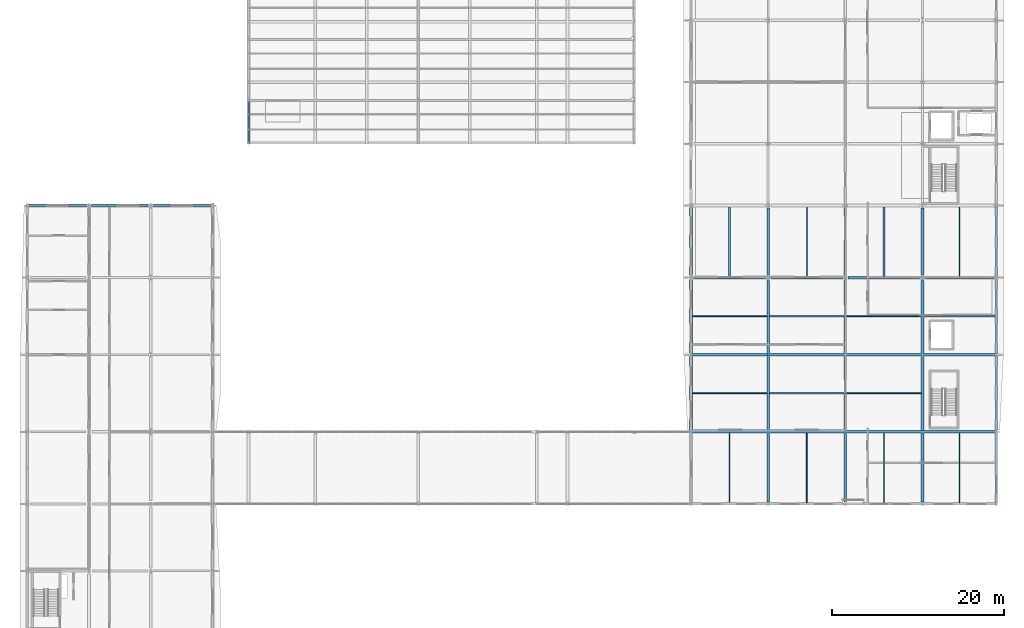
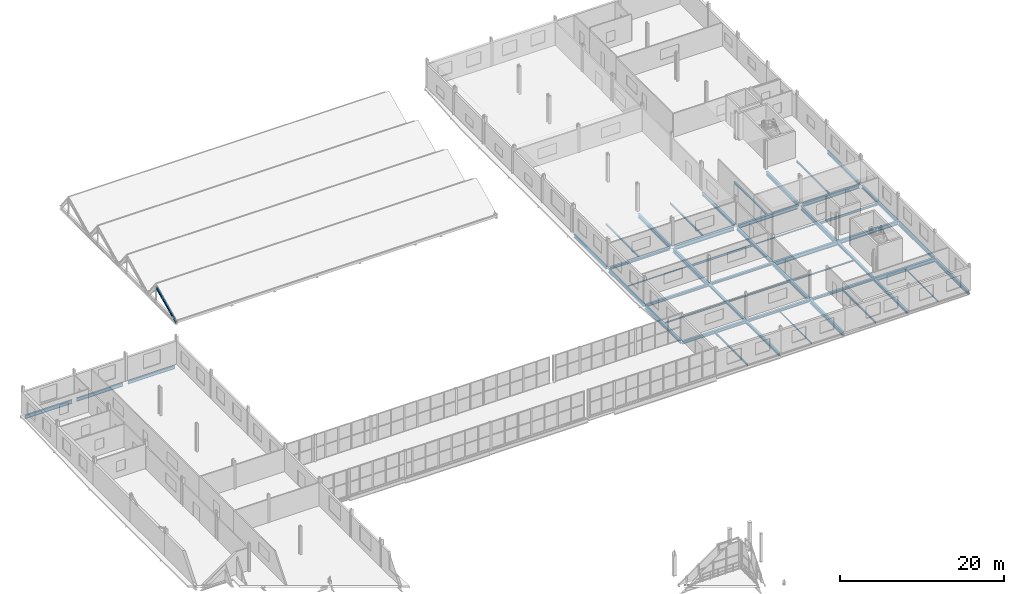
# One storey, part 69 of 138: 50 beams.
"""IFC4 building model written with IfcOpenShell, lengths in metres."""

from ifc_helpers import new_model, si_unit, direction, frame, origin, origin_2d, place, context, subcontext, project, spatial, i_section, extrude, material, material_profile, profile_set, type_object, element, save


model = new_model("IFC4")

# Units and contexts
model_context = context("Model", 3, precision=1e-05, world=origin(), true_north=direction((0.0, 1.0)))
body_context = subcontext(model_context, "Body", "Model", "MODEL_VIEW")
ifc_project = project(units=[si_unit("LENGTHUNIT", "METRE"), si_unit("AREAUNIT", "SQUARE_METRE"), si_unit("VOLUMEUNIT", "CUBIC_METRE"), si_unit("PLANEANGLEUNIT", "RADIAN"), si_unit("MASSUNIT", "GRAM", prefix="KILO")], contexts=[model_context])

# Site, building, storey
site_placement = place(None, origin())
site = spatial("IfcSite", under=ifc_project, at=site_placement, CompositionType="ELEMENT")
building_placement = place(site_placement, origin())
building = spatial("IfcBuilding", under=site, at=building_placement, Name="Vinh Khe Railworks Police Headquarters", CompositionType="ELEMENT")
storey_placement = place(building_placement, frame((0.0, 0.0, 9.0)))
storey = spatial("IfcBuildingStorey", under=building, at=storey_placement, Name="L02", CompositionType="ELEMENT", Elevation=9.0)

# Beams
ifc_material = material(Name="Steel S355JR", Category="steel")
ifc_material_profile_1 = material_profile(ifc_material, i_section(OverallWidth=0.179931640625, OverallDepth=0.1708984375, WebThickness=0.006103515625, FlangeThickness=0.009521484375, FilletRadius=0.014892578125, at=origin_2d()), Name="HEA 180")
ifc_profile_set_1 = profile_set([ifc_material_profile_1], Name="Steel S355JR")
beam_type_1 = type_object("IfcBeamType", Name="Secondary Joist HEA 180", PredefinedType="JOIST", material=ifc_profile_set_1)
beam_1_placement = place(storey_placement, frame((87.14990234375, 108.89990234375, -0.305419921875), z_axis=(1.0, 0.0, 0.0), x_axis=(0.0, 1.0, 0.0)))
element("IfcBeam", 1, at=beam_1_placement, inside=storey, type_object=beam_type_1, Name="Secondary Joist JST-L02-SJ-10-0012", PredefinedType="JOIST", context=body_context, shape_type="SweptSolid", body=[
    extrude(i_section(OverallWidth=0.179931640625, OverallDepth=0.1708984375, WebThickness=0.006103515625, FlangeThickness=0.009521484375, FilletRadius=0.014892578125, at=origin_2d()), origin(), (0.0, 0.0, 1.0), 8.7001953125),
])
ifc_material_profile_2 = material_profile(ifc_material, i_section(OverallWidth=0.199951171875, OverallDepth=0.18994140625, WebThickness=0.006591796875, FlangeThickness=0.010009765625, FilletRadius=0.01806640625, at=origin_2d()), Name="HEA 200")
ifc_profile_set_2 = profile_set([ifc_material_profile_2], Name="Steel S355JR")
beam_type_2 = type_object("IfcBeamType", Name="Secondary Joist HEA 200", PredefinedType="JOIST", material=ifc_profile_set_2)
for number, where, z_axis, x_axis, name in (
    (2, (82.5, 122.550048828125, -0.31494140625), (0.0, 1.0, 0.0), (-1.0, 0.0, 0.0), "Secondary Joist JST-L02-SJ-09-0010"),
    (3, (100.5, 122.550048828125, -0.31494140625), (0.0, 1.0, 0.0), (-1.0, 0.0, 0.0), "Secondary Joist JST-L02-SJ-09-0018"),
):
    element("IfcBeam", number, at=place(storey_placement, frame(where, z_axis=z_axis, x_axis=x_axis)), inside=storey, type_object=beam_type_2, Name=name, PredefinedType="JOIST", context=body_context, shape_type="SweptSolid", body=[
        extrude(i_section(OverallWidth=0.199951171875, OverallDepth=0.18994140625, WebThickness=0.006591796875, FlangeThickness=0.010009765625, FilletRadius=0.01806640625, at=origin_2d()), origin(), (0.0, 0.0, 1.0), 8.099853515625),
    ])
ifc_material_profile_3 = material_profile(ifc_material, i_section(OverallWidth=0.08203125, OverallDepth=0.159912109375, WebThickness=0.0048828125, FlangeThickness=0.00732421875, FilletRadius=0.009033203125, at=origin_2d()), Name="IPE 160")
ifc_profile_set_3 = profile_set([ifc_material_profile_3], Name="Steel S355JR")
beam_type_3 = type_object("IfcBeamType", Name="Secondary Joist IPE 160", PredefinedType="JOIST", material=ifc_profile_set_3)
for number, where, z_axis, x_axis, name in (
    (4, (91.5, 96.14990234375, -0.300048828125), (0.0, 1.0, 0.0), (-1.0, 0.0, 0.0), "Secondary Joist JST-L02-SJ-08-0011"),
    (5, (109.300048828125, 96.14990234375, -0.300048828125), (0.0, 1.0, 0.0), (-1.0, 0.0, 0.0), "Secondary Joist JST-L02-SJ-08-0019"),
):
    element("IfcBeam", number, at=place(storey_placement, frame(where, z_axis=z_axis, x_axis=x_axis)), inside=storey, type_object=beam_type_3, Name=name, PredefinedType="JOIST", context=body_context, shape_type="SweptSolid", body=[
        extrude(i_section(OverallWidth=0.08203125, OverallDepth=0.159912109375, WebThickness=0.0048828125, FlangeThickness=0.00732421875, FilletRadius=0.009033203125, at=origin_2d()), origin(), (0.0, 0.0, 1.0), 8.10009765625),
    ])
ifc_material_profile_4 = material_profile(ifc_material, i_section(OverallWidth=0.091064453125, OverallDepth=0.179931640625, WebThickness=0.00537109375, FlangeThickness=0.008056640625, FilletRadius=0.009033203125, at=origin_2d()), Name="IPE 180")
ifc_profile_set_4 = profile_set([ifc_material_profile_4], Name="Steel S355JR")
beam_type_4 = type_object("IfcBeamType", Name="Secondary Joist IPE 180", PredefinedType="JOIST", material=ifc_profile_set_4)
for number, where, z_axis, x_axis, name in (
    (6, (78.14990234375, 117.89990234375, -0.31005859375), (1.0, 0.0, 0.0), (0.0, 1.0, 0.0), "Secondary Joist JST-L02-SJ-07-0009"),
    (7, (96.14990234375, 117.89990234375, -0.31005859375), (1.0, 0.0, 0.0), (0.0, 1.0, 0.0), "Secondary Joist JST-L02-SJ-07-0017"),
):
    element("IfcBeam", number, at=place(storey_placement, frame(where, z_axis=z_axis, x_axis=x_axis)), inside=storey, type_object=beam_type_4, Name=name, PredefinedType="JOIST", context=body_context, shape_type="SweptSolid", body=[
        extrude(i_section(OverallWidth=0.091064453125, OverallDepth=0.179931640625, WebThickness=0.00537109375, FlangeThickness=0.008056640625, FilletRadius=0.009033203125, at=origin_2d()), origin(), (0.0, 0.0, 1.0), 8.7001953125),
    ])
ifc_material_profile_5 = material_profile(ifc_material, i_section(OverallWidth=0.110107421875, OverallDepth=0.219970703125, WebThickness=0.005859375, FlangeThickness=0.00927734375, FilletRadius=0.011962890625, at=origin_2d()), Name="IPE 220")
ifc_profile_set_5 = profile_set([ifc_material_profile_5], Name="Steel S355JR")
beam_type_5 = type_object("IfcBeamType", Name="Secondary Joist IPE 220", PredefinedType="JOIST", material=ifc_profile_set_5)
for number, where, z_axis, x_axis, name in (
    (8, (78.14990234375, 108.89990234375, -0.330078125), (1.0, 0.0, 0.0), (0.0, 1.0, 0.0), "Secondary Joist JST-L02-SJ-05-0008"),
    (9, (96.14990234375, 108.89990234375, -0.330078125), (1.0, 0.0, 0.0), (0.0, 1.0, 0.0), "Secondary Joist JST-L02-SJ-05-0016"),
):
    element("IfcBeam", number, at=place(storey_placement, frame(where, z_axis=z_axis, x_axis=x_axis)), inside=storey, type_object=beam_type_5, Name=name, PredefinedType="JOIST", context=body_context, shape_type="SweptSolid", body=[
        extrude(i_section(OverallWidth=0.110107421875, OverallDepth=0.219970703125, WebThickness=0.005859375, FlangeThickness=0.00927734375, FilletRadius=0.011962890625, at=origin_2d()), origin(), (0.0, 0.0, 1.0), 8.7001953125),
    ])
ifc_material_profile_6 = material_profile(ifc_material, i_section(OverallWidth=0.1201171875, OverallDepth=0.239990234375, WebThickness=0.006103515625, FlangeThickness=0.009765625, FilletRadius=0.014892578125, at=origin_2d()), Name="IPE 240")
ifc_profile_set_6 = profile_set([ifc_material_profile_6], Name="Steel S355JR")
beam_type_6 = type_object("IfcBeamType", Name="Secondary Joist IPE 240", PredefinedType="JOIST", material=ifc_profile_set_6)
beam_2_placement = place(storey_placement, frame((91.5, 122.550048828125, -0.340087890625), z_axis=(0.0, 1.0, 0.0), x_axis=(-1.0, 0.0, 0.0)))
element("IfcBeam", 10, at=beam_2_placement, inside=storey, type_object=beam_type_6, Name="Secondary Joist JST-L02-SJ-04-0014", PredefinedType="JOIST", context=body_context, shape_type="SweptSolid", body=[
    extrude(i_section(OverallWidth=0.1201171875, OverallDepth=0.239990234375, WebThickness=0.006103515625, FlangeThickness=0.009765625, FilletRadius=0.014892578125, at=origin_2d()), origin(), (0.0, 0.0, 1.0), 8.099853515625),
])
ifc_material_profile_7 = material_profile(ifc_material, i_section(OverallWidth=0.135009765625, OverallDepth=0.27001953125, WebThickness=0.006591796875, FlangeThickness=0.01025390625, FilletRadius=0.014892578125, at=origin_2d()), Name="IPE 270")
ifc_profile_set_7 = profile_set([ifc_material_profile_7], Name="Steel S355JR")
beam_type_7 = type_object("IfcBeamType", Name="Secondary Joist IPE 270", PredefinedType="JOIST", material=ifc_profile_set_7)
for number, where, z_axis, x_axis, name in (
    (11, (82.5, 96.14990234375, -0.35498046875), (0.0, 1.0, 0.0), (-1.0, 0.0, 0.0), "Secondary Joist JST-L02-SJ-03-0007"),
    (12, (100.5, 96.14990234375, -0.35498046875), (0.0, 1.0, 0.0), (-1.0, 0.0, 0.0), "Secondary Joist JST-L02-SJ-03-0015"),
):
    element("IfcBeam", number, at=place(storey_placement, frame(where, z_axis=z_axis, x_axis=x_axis)), inside=storey, type_object=beam_type_7, Name=name, PredefinedType="JOIST", context=body_context, shape_type="SweptSolid", body=[
        extrude(i_section(OverallWidth=0.135009765625, OverallDepth=0.27001953125, WebThickness=0.006591796875, FlangeThickness=0.01025390625, FilletRadius=0.014892578125, at=origin_2d()), origin(), (0.0, 0.0, 1.0), 8.10009765625),
    ])
beam_3_placement = place(storey_placement, frame((109.300048828125, 122.550048828125, -0.35498046875), z_axis=(0.0, 1.0, 0.0), x_axis=(-1.0, 0.0, 0.0)))
element("IfcBeam", 13, at=beam_3_placement, inside=storey, type_object=beam_type_7, Name="Secondary Joist JST-L02-SJ-03-0021", PredefinedType="JOIST", context=body_context, shape_type="SweptSolid", body=[
    extrude(i_section(OverallWidth=0.135009765625, OverallDepth=0.27001953125, WebThickness=0.006591796875, FlangeThickness=0.01025390625, FilletRadius=0.014892578125, at=origin_2d()), origin(), (0.0, 0.0, 1.0), 8.099853515625),
])
ifc_material_profile_8 = material_profile(ifc_material, i_section(OverallWidth=0.14990234375, OverallDepth=0.300048828125, WebThickness=0.007080078125, FlangeThickness=0.0107421875, FilletRadius=0.014892578125, at=origin_2d()), Name="IPE 300")
ifc_profile_set_8 = profile_set([ifc_material_profile_8], Name="Steel S355JR")
beam_type_8 = type_object("IfcBeamType", Name="Secondary Joist IPE 300", PredefinedType="JOIST", material=ifc_profile_set_8)
beam_4_placement = place(storey_placement, frame((87.14990234375, 117.89990234375, -0.3701171875), z_axis=(1.0, 0.0, 0.0), x_axis=(0.0, 1.0, 0.0)))
element("IfcBeam", 14, at=beam_4_placement, inside=storey, type_object=beam_type_8, Name="Secondary Joist JST-L02-SJ-02-0013", PredefinedType="JOIST", context=body_context, shape_type="SweptSolid", body=[
    extrude(i_section(OverallWidth=0.14990234375, OverallDepth=0.300048828125, WebThickness=0.007080078125, FlangeThickness=0.0107421875, FilletRadius=0.014892578125, at=origin_2d()), origin(), (0.0, 0.0, 1.0), 8.7001953125),
])
ifc_material_profile_9 = material_profile(ifc_material, i_section(OverallWidth=0.159912109375, OverallDepth=0.330078125, WebThickness=0.007568359375, FlangeThickness=0.011474609375, FilletRadius=0.01806640625, at=origin_2d()), Name="IPE 330")
ifc_profile_set_9 = profile_set([ifc_material_profile_9], Name="Steel S355JR")
beam_type_9 = type_object("IfcBeamType", Name="Secondary Joist IPE 330", PredefinedType="JOIST", material=ifc_profile_set_9)
beam_5_placement = place(storey_placement, frame((105.14990234375, 117.89990234375, -0.385009765625), z_axis=(1.0, 0.0, 0.0), x_axis=(0.0, 1.0, 0.0)))
element("IfcBeam", 15, at=beam_5_placement, inside=storey, type_object=beam_type_9, Name="Secondary Joist JST-L02-SJ-01-0020", PredefinedType="JOIST", context=body_context, shape_type="SweptSolid", body=[
    extrude(i_section(OverallWidth=0.159912109375, OverallDepth=0.330078125, WebThickness=0.007568359375, FlangeThickness=0.011474609375, FilletRadius=0.01806640625, at=origin_2d()), origin(), (0.0, 0.0, 1.0), 8.300048828125),
])
ifc_material_profile_10 = material_profile(ifc_material, i_section(OverallWidth=0.300048828125, OverallDepth=0.35009765625, WebThickness=0.010009765625, FlangeThickness=0.017578125, FilletRadius=0.027099609375, at=origin_2d()), Name="HEA 360")
ifc_profile_set_10 = profile_set([ifc_material_profile_10], Name="Steel S355JR")
beam_type_10 = type_object("IfcBeamType", Name="Steel Girder HEA 360", PredefinedType="BEAM", material=ifc_profile_set_10)
for number, where, z_axis, x_axis, name in (
    (16, (96.02001953125, 104.39990234375, -0.39501953125), (1.0, 0.0, 0.0), (0.0, 1.0, 0.0), "Girder BM-L02-EW-SB-15-0828"),
    (17, (87.02001953125, 113.39990234375, -0.39501953125), (1.0, 0.0, 0.0), (0.0, 1.0, 0.0), "Girder BM-L02-EW-SB-15-0834"),
):
    element("IfcBeam", number, at=place(storey_placement, frame(where, z_axis=z_axis, x_axis=x_axis)), inside=storey, type_object=beam_type_10, Name=name, PredefinedType="BEAM", context=body_context, shape_type="SweptSolid", body=[
        extrude(i_section(OverallWidth=0.300048828125, OverallDepth=0.35009765625, WebThickness=0.010009765625, FlangeThickness=0.017578125, FilletRadius=0.027099609375, at=origin_2d()), origin(), (0.0, 0.0, 1.0), 8.9599609375),
    ])
beam_6_placement = place(storey_placement, frame((78.280029296875, 122.39990234375, -0.39501953125), z_axis=(1.0, 0.0, 0.0), x_axis=(0.0, 1.0, 0.0)))
element("IfcBeam", 18, at=beam_6_placement, inside=storey, type_object=beam_type_10, Name="Girder BM-L02-EW-SB-15-0840", PredefinedType="BEAM", context=body_context, shape_type="SweptSolid", body=[
    extrude(i_section(OverallWidth=0.300048828125, OverallDepth=0.35009765625, WebThickness=0.010009765625, FlangeThickness=0.017578125, FilletRadius=0.027099609375, at=origin_2d()), origin(), (0.0, 0.0, 1.0), 8.389892578125),
])
for number, where, z_axis, x_axis, name in (
    (19, (87.0, 104.574951171875, -0.39501953125), (0.0, 1.0, 0.0), (-1.0, 0.0, 0.0), "Girder BM-L02-NS-SB-15-0984"),
    (20, (105.0, 104.574951171875, -0.39501953125), (0.0, 1.0, 0.0), (-1.0, 0.0, 0.0), "Girder BM-L02-NS-SB-15-1002"),
):
    element("IfcBeam", number, at=place(storey_placement, frame(where, z_axis=z_axis, x_axis=x_axis)), inside=storey, type_object=beam_type_10, Name=name, PredefinedType="BEAM", context=body_context, shape_type="SweptSolid", body=[
        extrude(i_section(OverallWidth=0.300048828125, OverallDepth=0.35009765625, WebThickness=0.010009765625, FlangeThickness=0.017578125, FilletRadius=0.027099609375, at=origin_2d()), origin(), (0.0, 0.0, 1.0), 8.695068359375),
    ])
ifc_material_profile_11 = material_profile(ifc_material, i_section(OverallWidth=0.300048828125, OverallDepth=0.389892578125, WebThickness=0.010986328125, FlangeThickness=0.01904296875, FilletRadius=0.027099609375, at=origin_2d()), Name="HEA 400")
ifc_profile_set_11 = profile_set([ifc_material_profile_11], Name="Steel S355JR")
beam_type_11 = type_object("IfcBeamType", Name="Steel Girder HEA 400", PredefinedType="BEAM", material=ifc_profile_set_11)
for number, where, z_axis, x_axis, name in (
    (21, (87.02001953125, 104.39990234375, -0.4150390625), (1.0, 0.0, 0.0), (0.0, 1.0, 0.0), "Girder BM-L02-EW-SB-14-0827"),
    (22, (78.02001953125, 113.39990234375, -0.4150390625), (1.0, 0.0, 0.0), (0.0, 1.0, 0.0), "Girder BM-L02-EW-SB-14-0833"),
):
    element("IfcBeam", number, at=place(storey_placement, frame(where, z_axis=z_axis, x_axis=x_axis)), inside=storey, type_object=beam_type_11, Name=name, PredefinedType="BEAM", context=body_context, shape_type="SweptSolid", body=[
        extrude(i_section(OverallWidth=0.300048828125, OverallDepth=0.389892578125, WebThickness=0.010986328125, FlangeThickness=0.01904296875, FilletRadius=0.027099609375, at=origin_2d()), origin(), (0.0, 0.0, 1.0), 8.9599609375),
    ])
beam_7_placement = place(storey_placement, frame((78.0, 122.679931640625, -0.4150390625), z_axis=(0.0, 1.0, 0.0), x_axis=(-1.0, 0.0, 0.0)))
element("IfcBeam", 23, at=beam_7_placement, inside=storey, type_object=beam_type_11, Name="Girder BM-L02-NS-SB-14-0977", PredefinedType="BEAM", context=body_context, shape_type="SweptSolid", body=[
    extrude(i_section(OverallWidth=0.300048828125, OverallDepth=0.389892578125, WebThickness=0.010986328125, FlangeThickness=0.01904296875, FilletRadius=0.027099609375, at=origin_2d()), origin(), (0.0, 0.0, 1.0), 7.864990234375),
])
beam_8_placement = place(storey_placement, frame((87.0, 96.199951171875, -0.4150390625), z_axis=(0.0, 1.0, 0.0), x_axis=(-1.0, 0.0, 0.0)))
element("IfcBeam", 24, at=beam_8_placement, inside=storey, type_object=beam_type_11, Name="Girder BM-L02-NS-SB-14-0983", PredefinedType="BEAM", context=body_context, shape_type="SweptSolid", body=[
    extrude(i_section(OverallWidth=0.300048828125, OverallDepth=0.389892578125, WebThickness=0.010986328125, FlangeThickness=0.01904296875, FilletRadius=0.027099609375, at=origin_2d()), origin(), (0.0, 0.0, 1.0), 8.025146484375),
])
beam_9_placement = place(storey_placement, frame((96.0, 122.679931640625, -0.4150390625), z_axis=(0.0, 1.0, 0.0), x_axis=(-1.0, 0.0, 0.0)))
element("IfcBeam", 25, at=beam_9_placement, inside=storey, type_object=beam_type_11, Name="Girder BM-L02-NS-SB-14-0995", PredefinedType="BEAM", context=body_context, shape_type="SweptSolid", body=[
    extrude(i_section(OverallWidth=0.300048828125, OverallDepth=0.389892578125, WebThickness=0.010986328125, FlangeThickness=0.01904296875, FilletRadius=0.027099609375, at=origin_2d()), origin(), (0.0, 0.0, 1.0), 7.864990234375),
])
beam_10_placement = place(storey_placement, frame((105.0, 96.199951171875, -0.4150390625), z_axis=(0.0, 1.0, 0.0), x_axis=(-1.0, 0.0, 0.0)))
element("IfcBeam", 26, at=beam_10_placement, inside=storey, type_object=beam_type_11, Name="Girder BM-L02-NS-SB-14-1001", PredefinedType="BEAM", context=body_context, shape_type="SweptSolid", body=[
    extrude(i_section(OverallWidth=0.300048828125, OverallDepth=0.389892578125, WebThickness=0.010986328125, FlangeThickness=0.01904296875, FilletRadius=0.027099609375, at=origin_2d()), origin(), (0.0, 0.0, 1.0), 8.025146484375),
])
beam_11_placement = place(storey_placement, frame((113.60009765625, 122.679931640625, -0.4150390625), z_axis=(0.0, 1.0, 0.0), x_axis=(-1.0, 0.0, 0.0)))
element("IfcBeam", 27, at=beam_11_placement, inside=storey, type_object=beam_type_11, Name="Girder BM-L02-NS-SB-14-1013", PredefinedType="BEAM", context=body_context, shape_type="SweptSolid", body=[
    extrude(i_section(OverallWidth=0.300048828125, OverallDepth=0.389892578125, WebThickness=0.010986328125, FlangeThickness=0.01904296875, FilletRadius=0.027099609375, at=origin_2d()), origin(), (0.0, 0.0, 1.0), 7.864990234375),
])
ifc_material_profile_12 = material_profile(ifc_material, i_section(OverallWidth=0.300048828125, OverallDepth=0.43994140625, WebThickness=0.011474609375, FlangeThickness=0.02099609375, FilletRadius=0.027099609375, at=origin_2d()), Name="HEA 450")
ifc_profile_set_12 = profile_set([ifc_material_profile_12], Name="Steel S355JR")
beam_type_12 = type_object("IfcBeamType", Name="Steel Girder HEA 450", PredefinedType="BEAM", material=ifc_profile_set_12)
beam_12_placement = place(storey_placement, frame((78.02001953125, 104.39990234375, -0.43994140625), z_axis=(1.0, 0.0, 0.0), x_axis=(0.0, 1.0, 0.0)))
element("IfcBeam", 28, at=beam_12_placement, inside=storey, type_object=beam_type_12, Name="Girder BM-L02-EW-SB-13-0826", PredefinedType="BEAM", context=body_context, shape_type="SweptSolid", body=[
    extrude(i_section(OverallWidth=0.300048828125, OverallDepth=0.43994140625, WebThickness=0.011474609375, FlangeThickness=0.02099609375, FilletRadius=0.027099609375, at=origin_2d()), origin(), (0.0, 0.0, 1.0), 8.9599609375),
])
for number, where, z_axis, x_axis, name in (
    (29, (78.0, 113.530029296875, -0.43994140625), (0.0, 1.0, 0.0), (-1.0, 0.0, 0.0), "Girder BM-L02-NS-SB-13-0976"),
    (30, (96.0, 113.530029296875, -0.43994140625), (0.0, 1.0, 0.0), (-1.0, 0.0, 0.0), "Girder BM-L02-NS-SB-13-0994"),
    (31, (113.60009765625, 113.530029296875, -0.43994140625), (0.0, 1.0, 0.0), (-1.0, 0.0, 0.0), "Girder BM-L02-NS-SB-13-1012"),
):
    element("IfcBeam", number, at=place(storey_placement, frame(where, z_axis=z_axis, x_axis=x_axis)), inside=storey, type_object=beam_type_12, Name=name, PredefinedType="BEAM", context=body_context, shape_type="SweptSolid", body=[
        extrude(i_section(OverallWidth=0.300048828125, OverallDepth=0.43994140625, WebThickness=0.011474609375, FlangeThickness=0.02099609375, FilletRadius=0.027099609375, at=origin_2d()), origin(), (0.0, 0.0, 1.0), 8.590087890625),
    ])
ifc_material_profile_13 = material_profile(ifc_material, i_section(OverallWidth=0.300048828125, OverallDepth=0.489990234375, WebThickness=0.011962890625, FlangeThickness=0.02294921875, FilletRadius=0.027099609375, at=origin_2d()), Name="HEA 500")
ifc_profile_set_13 = profile_set([ifc_material_profile_13], Name="Steel S355JR")
beam_type_13 = type_object("IfcBeamType", Name="Steel Girder HEA 500", PredefinedType="BEAM", material=ifc_profile_set_13)
beam_13_placement = place(storey_placement, frame((105.330078125, 122.39990234375, -0.465087890625), z_axis=(1.0, 0.0, 0.0), x_axis=(0.0, 1.0, 0.0)))
element("IfcBeam", 32, at=beam_13_placement, inside=storey, type_object=beam_type_13, Name="Girder BM-L02-EW-SB-12-0843", PredefinedType="BEAM", context=body_context, shape_type="SweptSolid", body=[
    extrude(i_section(OverallWidth=0.300048828125, OverallDepth=0.489990234375, WebThickness=0.011962890625, FlangeThickness=0.02294921875, FilletRadius=0.027099609375, at=origin_2d()), origin(), (0.0, 0.0, 1.0), 7.989990234375),
])
for number, where, z_axis, x_axis, name in (
    (33, (78.0, 104.574951171875, -0.465087890625), (0.0, 1.0, 0.0), (-1.0, 0.0, 0.0), "Girder BM-L02-NS-SB-12-0975"),
    (34, (96.0, 104.574951171875, -0.465087890625), (0.0, 1.0, 0.0), (-1.0, 0.0, 0.0), "Girder BM-L02-NS-SB-12-0993"),
    (35, (113.60009765625, 104.574951171875, -0.465087890625), (0.0, 1.0, 0.0), (-1.0, 0.0, 0.0), "Girder BM-L02-NS-SB-12-1011"),
):
    element("IfcBeam", number, at=place(storey_placement, frame(where, z_axis=z_axis, x_axis=x_axis)), inside=storey, type_object=beam_type_13, Name=name, PredefinedType="BEAM", context=body_context, shape_type="SweptSolid", body=[
        extrude(i_section(OverallWidth=0.300048828125, OverallDepth=0.489990234375, WebThickness=0.011962890625, FlangeThickness=0.02294921875, FilletRadius=0.027099609375, at=origin_2d()), origin(), (0.0, 0.0, 1.0), 8.695068359375),
    ])
ifc_material_profile_14 = material_profile(ifc_material, i_section(OverallWidth=0.300048828125, OverallDepth=0.5400390625, WebThickness=0.012451171875, FlangeThickness=0.02392578125, FilletRadius=0.027099609375, at=origin_2d()), Name="HEA 550")
ifc_profile_set_14 = profile_set([ifc_material_profile_14], Name="Steel S355JR")
beam_type_14 = type_object("IfcBeamType", Name="Steel Girder HEA 550", PredefinedType="BEAM", material=ifc_profile_set_14)
beam_14_placement = place(storey_placement, frame((105.02001953125, 113.39990234375, -0.489990234375), z_axis=(1.0, 0.0, 0.0), x_axis=(0.0, 1.0, 0.0)))
element("IfcBeam", 36, at=beam_14_placement, inside=storey, type_object=beam_type_14, Name="Girder BM-L02-EW-SB-11-0836", PredefinedType="BEAM", context=body_context, shape_type="SweptSolid", body=[
    extrude(i_section(OverallWidth=0.300048828125, OverallDepth=0.5400390625, WebThickness=0.012451171875, FlangeThickness=0.02392578125, FilletRadius=0.027099609375, at=origin_2d()), origin(), (0.0, 0.0, 1.0), 8.56005859375),
])
beam_15_placement = place(storey_placement, frame((96.280029296875, 122.39990234375, -0.489990234375), z_axis=(1.0, 0.0, 0.0), x_axis=(0.0, 1.0, 0.0)))
element("IfcBeam", 37, at=beam_15_placement, inside=storey, type_object=beam_type_14, Name="Girder BM-L02-EW-SB-11-0842", PredefinedType="BEAM", context=body_context, shape_type="SweptSolid", body=[
    extrude(i_section(OverallWidth=0.300048828125, OverallDepth=0.5400390625, WebThickness=0.012451171875, FlangeThickness=0.02392578125, FilletRadius=0.027099609375, at=origin_2d()), origin(), (0.0, 0.0, 1.0), 8.389892578125),
])
beam_16_placement = place(storey_placement, frame((87.0, 122.72998046875, -0.489990234375), z_axis=(0.0, 1.0, 0.0), x_axis=(-1.0, 0.0, 0.0)))
element("IfcBeam", 38, at=beam_16_placement, inside=storey, type_object=beam_type_14, Name="Girder BM-L02-NS-SB-11-0986", PredefinedType="BEAM", context=body_context, shape_type="SweptSolid", body=[
    extrude(i_section(OverallWidth=0.300048828125, OverallDepth=0.5400390625, WebThickness=0.012451171875, FlangeThickness=0.02392578125, FilletRadius=0.027099609375, at=origin_2d()), origin(), (0.0, 0.0, 1.0), 7.76513671875),
])
beam_17_placement = place(storey_placement, frame((96.0, 96.199951171875, -0.489990234375), z_axis=(0.0, 1.0, 0.0), x_axis=(-1.0, 0.0, 0.0)))
element("IfcBeam", 39, at=beam_17_placement, inside=storey, type_object=beam_type_14, Name="Girder BM-L02-NS-SB-11-0992", PredefinedType="BEAM", context=body_context, shape_type="SweptSolid", body=[
    extrude(i_section(OverallWidth=0.300048828125, OverallDepth=0.5400390625, WebThickness=0.012451171875, FlangeThickness=0.02392578125, FilletRadius=0.027099609375, at=origin_2d()), origin(), (0.0, 0.0, 1.0), 8.025146484375),
])
beam_18_placement = place(storey_placement, frame((105.0, 122.72998046875, -0.489990234375), z_axis=(0.0, 1.0, 0.0), x_axis=(-1.0, 0.0, 0.0)))
element("IfcBeam", 40, at=beam_18_placement, inside=storey, type_object=beam_type_14, Name="Girder BM-L02-NS-SB-11-1004", PredefinedType="BEAM", context=body_context, shape_type="SweptSolid", body=[
    extrude(i_section(OverallWidth=0.300048828125, OverallDepth=0.5400390625, WebThickness=0.012451171875, FlangeThickness=0.02392578125, FilletRadius=0.027099609375, at=origin_2d()), origin(), (0.0, 0.0, 1.0), 7.76513671875),
])
beam_19_placement = place(storey_placement, frame((113.60009765625, 96.199951171875, -0.489990234375), z_axis=(0.0, 1.0, 0.0), x_axis=(-1.0, 0.0, 0.0)))
element("IfcBeam", 41, at=beam_19_placement, inside=storey, type_object=beam_type_14, Name="Girder BM-L02-NS-SB-11-1010", PredefinedType="BEAM", context=body_context, shape_type="SweptSolid", body=[
    extrude(i_section(OverallWidth=0.300048828125, OverallDepth=0.5400390625, WebThickness=0.012451171875, FlangeThickness=0.02392578125, FilletRadius=0.027099609375, at=origin_2d()), origin(), (0.0, 0.0, 1.0), 8.025146484375),
])
ifc_material_profile_15 = material_profile(ifc_material, i_section(OverallWidth=0.300048828125, OverallDepth=0.590087890625, WebThickness=0.012939453125, FlangeThickness=0.02490234375, FilletRadius=0.027099609375, at=origin_2d()), Name="HEA 600")
ifc_profile_set_15 = profile_set([ifc_material_profile_15], Name="Steel S355JR")
beam_type_15 = type_object("IfcBeamType", Name="Steel Girder HEA 600", PredefinedType="BEAM", material=ifc_profile_set_15)
beam_20_placement = place(storey_placement, frame((105.02001953125, 104.39990234375, -0.514892578125), z_axis=(1.0, 0.0, 0.0), x_axis=(0.0, 1.0, 0.0)))
element("IfcBeam", 42, at=beam_20_placement, inside=storey, type_object=beam_type_15, Name="Girder BM-L02-EW-SB-10-0829", PredefinedType="BEAM", context=body_context, shape_type="SweptSolid", body=[
    extrude(i_section(OverallWidth=0.300048828125, OverallDepth=0.590087890625, WebThickness=0.012939453125, FlangeThickness=0.02490234375, FilletRadius=0.027099609375, at=origin_2d()), origin(), (0.0, 0.0, 1.0), 8.56005859375),
])
beam_21_placement = place(storey_placement, frame((96.02001953125, 113.39990234375, -0.514892578125), z_axis=(1.0, 0.0, 0.0), x_axis=(0.0, 1.0, 0.0)))
element("IfcBeam", 43, at=beam_21_placement, inside=storey, type_object=beam_type_15, Name="Girder BM-L02-EW-SB-10-0835", PredefinedType="BEAM", context=body_context, shape_type="SweptSolid", body=[
    extrude(i_section(OverallWidth=0.300048828125, OverallDepth=0.590087890625, WebThickness=0.012939453125, FlangeThickness=0.02490234375, FilletRadius=0.027099609375, at=origin_2d()), origin(), (0.0, 0.0, 1.0), 8.9599609375),
])
beam_22_placement = place(storey_placement, frame((87.330078125, 122.39990234375, -0.514892578125), z_axis=(1.0, 0.0, 0.0), x_axis=(0.0, 1.0, 0.0)))
element("IfcBeam", 44, at=beam_22_placement, inside=storey, type_object=beam_type_15, Name="Girder BM-L02-EW-SB-10-0841", PredefinedType="BEAM", context=body_context, shape_type="SweptSolid", body=[
    extrude(i_section(OverallWidth=0.300048828125, OverallDepth=0.590087890625, WebThickness=0.012939453125, FlangeThickness=0.02490234375, FilletRadius=0.027099609375, at=origin_2d()), origin(), (0.0, 0.0, 1.0), 8.389892578125),
])
for number, where, z_axis, x_axis, name in (
    (45, (87.0, 113.530029296875, -0.514892578125), (0.0, 1.0, 0.0), (-1.0, 0.0, 0.0), "Girder BM-L02-NS-SB-10-0985"),
    (46, (105.0, 113.530029296875, -0.514892578125), (0.0, 1.0, 0.0), (-1.0, 0.0, 0.0), "Girder BM-L02-NS-SB-10-1003"),
):
    element("IfcBeam", number, at=place(storey_placement, frame(where, z_axis=z_axis, x_axis=x_axis)), inside=storey, type_object=beam_type_15, Name=name, PredefinedType="BEAM", context=body_context, shape_type="SweptSolid", body=[
        extrude(i_section(OverallWidth=0.300048828125, OverallDepth=0.590087890625, WebThickness=0.012939453125, FlangeThickness=0.02490234375, FilletRadius=0.027099609375, at=origin_2d()), origin(), (0.0, 0.0, 1.0), 8.5400390625),
    ])
ifc_material_profile_16 = material_profile(ifc_material, i_section(OverallWidth=0.169921875, OverallDepth=0.360107421875, WebThickness=0.008056640625, FlangeThickness=0.0126953125, FilletRadius=0.01806640625, at=origin_2d()), Name="IPE 360")
ifc_profile_set_16 = profile_set([ifc_material_profile_16], Name="Steel S355JR")
beam_type_16 = type_object("IfcBeamType", Name="Steel Girder IPE 360", PredefinedType="BEAM", material=ifc_profile_set_16)
beam_23_placement = place(storey_placement, frame((26.39990234375, 138.1201171875, 0.179931640625), z_axis=(0.0, 0.908174250162, 0.418592321171), x_axis=(-1.0, 0.0, 0.0)))
element("IfcBeam", 47, at=beam_23_placement, inside=storey, type_object=beam_type_16, Name="Sawtooth Slope Girder 1S", PredefinedType="BEAM", context=body_context, shape_type="SweptSolid", body=[
    extrude(i_section(OverallWidth=0.169921875, OverallDepth=0.360107421875, WebThickness=0.008056640625, FlangeThickness=0.0126953125, FilletRadius=0.01806640625, at=origin_2d()), origin(), (0.0, 0.0, 1.0), 5.351318359375),
])
ifc_material_profile_17 = material_profile(ifc_material, i_section(OverallWidth=0.18994140625, OverallDepth=0.449951171875, WebThickness=0.009521484375, FlangeThickness=0.0146484375, FilletRadius=0.02099609375, at=origin_2d()), Name="IPE 450")
ifc_profile_set_17 = profile_set([ifc_material_profile_17], Name="Steel S355JR")
beam_type_17 = type_object("IfcBeamType", Name="Steel Girder IPE 450", PredefinedType="BEAM", material=ifc_profile_set_17)
beam_24_placement = place(storey_placement, frame((15.330078125, 130.800048828125, -0.445068359375), z_axis=(1.0, 0.0, 0.0), x_axis=(0.0, 1.0, 0.0)))
element("IfcBeam", 48, at=beam_24_placement, inside=storey, type_object=beam_type_17, Name="Girder BM-L02-EW-SB-20-0846", PredefinedType="BEAM", context=body_context, shape_type="SweptSolid", body=[
    extrude(i_section(OverallWidth=0.18994140625, OverallDepth=0.449951171875, WebThickness=0.009521484375, FlangeThickness=0.0146484375, FilletRadius=0.02099609375, at=origin_2d()), origin(), (0.0, 0.0, 1.0), 6.614990234375),
])
ifc_material_profile_18 = material_profile(ifc_material, i_section(OverallWidth=0.199951171875, OverallDepth=0.5, WebThickness=0.01025390625, FlangeThickness=0.01611328125, FilletRadius=0.02099609375, at=origin_2d()), Name="IPE 500")
ifc_profile_set_18 = profile_set([ifc_material_profile_18], Name="Steel S355JR")
beam_type_18 = type_object("IfcBeamType", Name="Steel Girder IPE 500", PredefinedType="BEAM", material=ifc_profile_set_18)
beam_25_placement = place(storey_placement, frame((8.10498046875, 130.800048828125, -0.469970703125), z_axis=(1.0, 0.0, 0.0), x_axis=(0.0, 1.0, 0.0)))
element("IfcBeam", 49, at=beam_25_placement, inside=storey, type_object=beam_type_18, Name="Girder BM-L02-EW-SB-19-0845", PredefinedType="BEAM", context=body_context, shape_type="SweptSolid", body=[
    extrude(i_section(OverallWidth=0.199951171875, OverallDepth=0.5, WebThickness=0.01025390625, FlangeThickness=0.01611328125, FilletRadius=0.02099609375, at=origin_2d()), origin(), (0.0, 0.0, 1.0), 6.56494140625),
])
ifc_material_profile_19 = material_profile(ifc_material, i_section(OverallWidth=0.2099609375, OverallDepth=0.550048828125, WebThickness=0.010986328125, FlangeThickness=0.01708984375, FilletRadius=0.02392578125, at=origin_2d()), Name="IPE 550")
ifc_profile_set_19 = profile_set([ifc_material_profile_19], Name="Steel S355JR")
beam_type_19 = type_object("IfcBeamType", Name="Steel Girder IPE 550", PredefinedType="BEAM", material=ifc_profile_set_19)
beam_26_placement = place(storey_placement, frame((0.8798828125, 130.800048828125, -0.4951171875), z_axis=(1.0, 0.0, 0.0), x_axis=(0.0, 1.0, 0.0)))
element("IfcBeam", 50, at=beam_26_placement, inside=storey, type_object=beam_type_19, Name="Girder BM-L02-EW-SB-18-0844", PredefinedType="BEAM", context=body_context, shape_type="SweptSolid", body=[
    extrude(i_section(OverallWidth=0.2099609375, OverallDepth=0.550048828125, WebThickness=0.010986328125, FlangeThickness=0.01708984375, FilletRadius=0.02392578125, at=origin_2d()), origin(), (0.0, 0.0, 1.0), 6.615234375),
])

save(model, "model.ifc")
